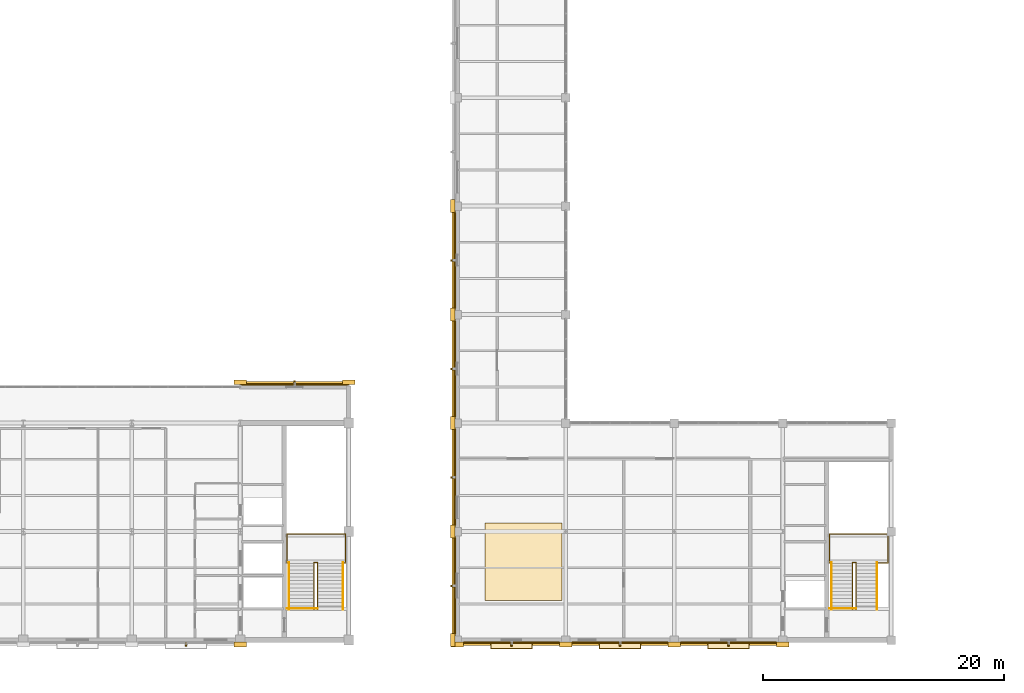
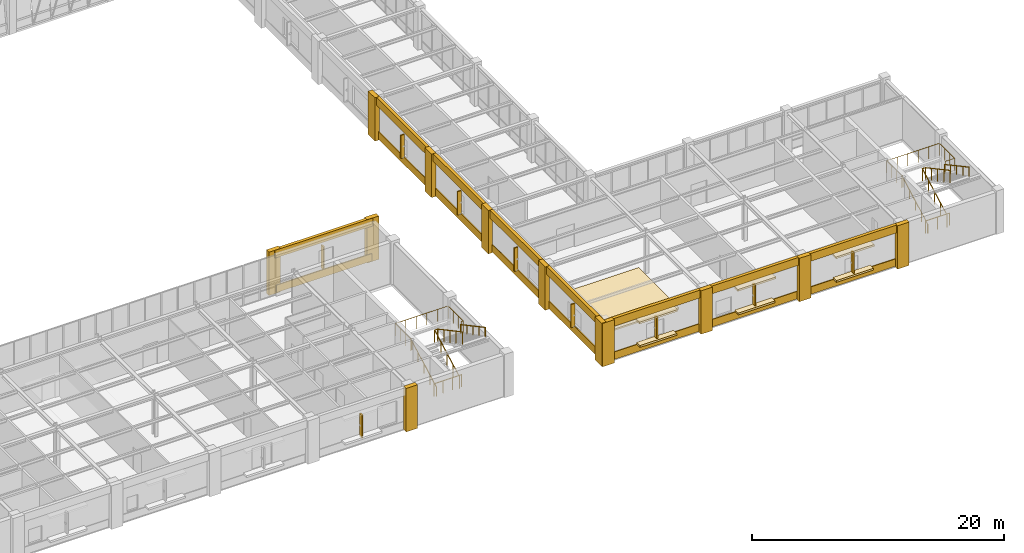
# One storey, part 104 of 108: 35 coverings, 10 railings, 9 shading devices.
"""IFC4 building model written with IfcOpenShell, lengths in metres."""

from ifc_helpers import new_model, si_unit, direction, frame, origin, origin_2d, place, context, subcontext, project, spatial, rectangle, circle, extrude, material, layer, layer_set, type_object, element, save


model = new_model("IFC4")

# Units and contexts
model_context = context("Model", 3, precision=1e-05, world=origin(), true_north=direction((0.0, 1.0)))
body_context = subcontext(model_context, "Body", "Model", "MODEL_VIEW")
ifc_project = project(units=[si_unit("LENGTHUNIT", "METRE"), si_unit("AREAUNIT", "SQUARE_METRE"), si_unit("VOLUMEUNIT", "CUBIC_METRE"), si_unit("PLANEANGLEUNIT", "RADIAN"), si_unit("MASSUNIT", "GRAM", prefix="KILO")], contexts=[model_context])

# Site, building, storey
site_placement = place(None, origin())
site = spatial("IfcSite", under=ifc_project, at=site_placement, CompositionType="ELEMENT")
building_placement = place(site_placement, origin())
building = spatial("IfcBuilding", under=site, at=building_placement, Name="Lykobir Media Centre", CompositionType="ELEMENT")
storey_placement = place(building_placement, frame((0.0, 0.0, 15.0)))
storey = spatial("IfcBuildingStorey", under=building, at=storey_placement, Name="L03", CompositionType="ELEMENT", Elevation=15.0)

# Coverings
ifc_material_1 = material(Name="Glazed Turquoise Terracotta", Category="masonry")
ifc_layer_1 = layer(ifc_material_1, 0.0400390625, Name="Glazed Turquoise Terracotta")
ifc_layer_set_1 = layer_set([ifc_layer_1], Name="Glazed Turquoise Terracotta")
covering_type_1 = type_object("IfcCoveringType", Name="CLD-TERR", PredefinedType="CLADDING", material=ifc_layer_set_1)
covering_1_placement = place(storey_placement, frame((76.5, 21.196044921875, 0.080078125), z_axis=(0.0, 0.0, 1.0), x_axis=(-1.0, 0.0, 0.0)))
element("IfcCovering", 1, at=covering_1_placement, inside=storey, type_object=covering_type_1, Name="Facade spandrel apron 495", PredefinedType="CLADDING", context=body_context, shape_type="SweptSolid", body=[
    extrude(rectangle(XDim=8.75, YDim=0.10009765625, at=origin_2d()), origin(), (0.0, 0.0, 1.0), 0.719970703125),
])
for number, where, z_axis, x_axis, name in (
    (2, (89.803955078125, 22.5, 0.080078125), (0.0, 0.0, 1.0), (0.0, -1.0, 0.0), "Facade spandrel apron 538"),
    (3, (89.803955078125, 31.5, 0.080078125), (0.0, 0.0, 1.0), (0.0, -1.0, 0.0), "Facade spandrel apron 541"),
    (4, (89.803955078125, 4.5, 0.080078125), (0.0, 0.0, 1.0), (0.0, -1.0, 0.0), "Facade spandrel apron 557"),
    (5, (89.803955078125, 13.5, 0.080078125), (0.0, 0.0, 1.0), (0.0, -1.0, 0.0), "Facade spandrel apron 559"),
    (6, (94.5, -0.196044921875, 0.080078125), (0.0, 0.0, 1.0), (1.0, 0.0, 0.0), "Facade spandrel apron 563"),
    (7, (103.5, -0.196044921875, 0.080078125), (0.0, 0.0, 1.0), (1.0, 0.0, 0.0), "Facade spandrel apron 568"),
    (8, (112.5, -0.196044921875, 0.080078125), (0.0, 0.0, 1.0), (1.0, 0.0, 0.0), "Facade spandrel apron 573"),
):
    element("IfcCovering", number, at=place(storey_placement, frame(where, z_axis=z_axis, x_axis=x_axis)), inside=storey, type_object=covering_type_1, Name=name, PredefinedType="CLADDING", context=body_context, shape_type="SweptSolid", body=[
        extrude(rectangle(XDim=7.929931640625, YDim=0.10009765625, at=origin_2d()), origin(), (0.0, 0.0, 1.0), 0.719970703125),
    ])
ifc_material_2 = material(Name="Honed Travertine Stone", Category="masonry")
ifc_layer_2 = layer(ifc_material_2, 0.050048828125, Name="Honed Travertine Stone")
ifc_layer_set_2 = layer_set([ifc_layer_2], Name="Honed Travertine Stone")
covering_type_2 = type_object("IfcCoveringType", Name="CLD-TRAV", PredefinedType="CLADDING", material=ifc_layer_set_2)
for number, where, z_axis, x_axis, name in (
    (9, (72.0, -0.3798828125, 0.0), (0.0, 0.0, 1.0), (1.0, 0.0, 0.0), "Travertine column pier 487"),
    (10, (81.0, 21.3798828125, 0.0), (0.0, 0.0, 1.0), (-1.0, 0.0, 0.0), "Travertine column pier 492"),
    (11, (72.0, 21.3798828125, 0.0), (0.0, 0.0, 1.0), (-1.0, 0.0, 0.0), "Travertine column pier 493"),
):
    element("IfcCovering", number, at=place(storey_placement, frame(where, z_axis=z_axis, x_axis=x_axis)), inside=storey, type_object=covering_type_2, Name=name, PredefinedType="CLADDING", context=body_context, shape_type="SweptSolid", body=[
        extrude(rectangle(XDim=1.06005859375, YDim=0.39990234375, at=origin_2d()), origin(), (0.0, 0.0, 1.0), 4.199951171875),
    ])
covering_2_placement = place(storey_placement, frame((76.5, 21.300048828125, 3.43994140625), z_axis=(0.0, 0.0, 1.0), x_axis=(-1.0, 0.0, 0.0)))
element("IfcCovering", 12, at=covering_2_placement, inside=storey, type_object=covering_type_2, Name="Travertine spandrel stringcourse 494", PredefinedType="CLADDING", context=body_context, shape_type="SweptSolid", body=[
    extrude(rectangle(XDim=9.0, YDim=0.280029296875, at=origin_2d()), origin(), (0.0, 0.0, 1.0), 0.760009765625),
])
for number, where, z_axis, x_axis, name in (
    (13, (89.6201171875, 27.0, 0.0), (0.0, 0.0, 1.0), (0.0, -1.0, 0.0), "Travertine column pier 535"),
    (14, (89.6201171875, 18.0, 0.0), (0.0, 0.0, 1.0), (0.0, -1.0, 0.0), "Travertine column pier 536"),
):
    element("IfcCovering", number, at=place(storey_placement, frame(where, z_axis=z_axis, x_axis=x_axis)), inside=storey, type_object=covering_type_2, Name=name, PredefinedType="CLADDING", context=body_context, shape_type="SweptSolid", body=[
        extrude(rectangle(XDim=1.06005859375, YDim=0.39990234375, at=origin_2d()), origin(), (0.0, 0.0, 1.0), 4.199951171875),
    ])
covering_3_placement = place(storey_placement, frame((89.699951171875, 22.5, 3.43994140625), z_axis=(0.0, 0.0, 1.0), x_axis=(0.0, -1.0, 0.0)))
element("IfcCovering", 15, at=covering_3_placement, inside=storey, type_object=covering_type_2, Name="Travertine spandrel stringcourse 537", PredefinedType="CLADDING", context=body_context, shape_type="SweptSolid", body=[
    extrude(rectangle(XDim=9.0, YDim=0.280029296875, at=origin_2d()), origin(), (0.0, 0.0, 1.0), 0.760009765625),
])
covering_4_placement = place(storey_placement, frame((89.6201171875, 36.0, 0.0), z_axis=(0.0, 0.0, 1.0), x_axis=(0.0, -1.0, 0.0)))
element("IfcCovering", 16, at=covering_4_placement, inside=storey, type_object=covering_type_2, Name="Travertine column pier 539", PredefinedType="CLADDING", context=body_context, shape_type="SweptSolid", body=[
    extrude(rectangle(XDim=1.06005859375, YDim=0.39990234375, at=origin_2d()), origin(), (0.0, 0.0, 1.0), 4.199951171875),
])
covering_5_placement = place(storey_placement, frame((89.699951171875, 31.5, 3.43994140625), z_axis=(0.0, 0.0, 1.0), x_axis=(0.0, -1.0, 0.0)))
element("IfcCovering", 17, at=covering_5_placement, inside=storey, type_object=covering_type_2, Name="Travertine spandrel stringcourse 540", PredefinedType="CLADDING", context=body_context, shape_type="SweptSolid", body=[
    extrude(rectangle(XDim=9.0, YDim=0.280029296875, at=origin_2d()), origin(), (0.0, 0.0, 1.0), 0.760009765625),
])
for number, where, z_axis, x_axis, name in (
    (18, (89.6201171875, 9.0, 0.0), (0.0, 0.0, 1.0), (0.0, -1.0, 0.0), "Travertine column pier 554"),
    (19, (89.6201171875, 0.0, 0.0), (0.0, 0.0, 1.0), (0.0, -1.0, 0.0), "Travertine column pier 555"),
):
    element("IfcCovering", number, at=place(storey_placement, frame(where, z_axis=z_axis, x_axis=x_axis)), inside=storey, type_object=covering_type_2, Name=name, PredefinedType="CLADDING", context=body_context, shape_type="SweptSolid", body=[
        extrude(rectangle(XDim=1.06005859375, YDim=0.39990234375, at=origin_2d()), origin(), (0.0, 0.0, 1.0), 4.199951171875),
    ])
for number, where, z_axis, x_axis, name in (
    (20, (89.699951171875, 4.5, 3.43994140625), (0.0, 0.0, 1.0), (0.0, -1.0, 0.0), "Travertine spandrel stringcourse 556"),
    (21, (89.699951171875, 13.5, 3.43994140625), (0.0, 0.0, 1.0), (0.0, -1.0, 0.0), "Travertine spandrel stringcourse 558"),
):
    element("IfcCovering", number, at=place(storey_placement, frame(where, z_axis=z_axis, x_axis=x_axis)), inside=storey, type_object=covering_type_2, Name=name, PredefinedType="CLADDING", context=body_context, shape_type="SweptSolid", body=[
        extrude(rectangle(XDim=9.0, YDim=0.280029296875, at=origin_2d()), origin(), (0.0, 0.0, 1.0), 0.760009765625),
    ])
for number, where, z_axis, x_axis, name in (
    (22, (90.0, -0.3798828125, 0.0), (0.0, 0.0, 1.0), (1.0, 0.0, 0.0), "Travertine column pier 560"),
    (23, (99.0, -0.3798828125, 0.0), (0.0, 0.0, 1.0), (1.0, 0.0, 0.0), "Travertine column pier 561"),
):
    element("IfcCovering", number, at=place(storey_placement, frame(where, z_axis=z_axis, x_axis=x_axis)), inside=storey, type_object=covering_type_2, Name=name, PredefinedType="CLADDING", context=body_context, shape_type="SweptSolid", body=[
        extrude(rectangle(XDim=1.06005859375, YDim=0.39990234375, at=origin_2d()), origin(), (0.0, 0.0, 1.0), 4.199951171875),
    ])
covering_6_placement = place(storey_placement, frame((94.5, -0.300048828125, 3.43994140625), z_axis=(0.0, 0.0, 1.0), x_axis=(1.0, 0.0, 0.0)))
element("IfcCovering", 24, at=covering_6_placement, inside=storey, type_object=covering_type_2, Name="Travertine spandrel stringcourse 562", PredefinedType="CLADDING", context=body_context, shape_type="SweptSolid", body=[
    extrude(rectangle(XDim=9.0, YDim=0.280029296875, at=origin_2d()), origin(), (0.0, 0.0, 1.0), 0.760009765625),
])
covering_7_placement = place(storey_placement, frame((94.5, -0.429931640625, 0.77001953125), z_axis=(0.0, 0.0, 1.0), x_axis=(1.0, 0.0, 0.0)))
element("IfcCovering", 25, at=covering_7_placement, inside=storey, type_object=covering_type_2, Name="Ottoman Cumba sill 564", PredefinedType="CLADDING", context=body_context, shape_type="SweptSolid", body=[
    extrude(rectangle(XDim=3.39990234375, YDim=0.52001953125, at=origin_2d()), origin(), (0.0, 0.0, 1.0), 0.179931640625),
])
covering_8_placement = place(storey_placement, frame((94.5, -0.429931640625, 3.08984375), z_axis=(0.0, 0.0, 1.0), x_axis=(1.0, 0.0, 0.0)))
element("IfcCovering", 26, at=covering_8_placement, inside=storey, type_object=covering_type_2, Name="Ottoman Cumba canopy 565", PredefinedType="CLADDING", context=body_context, shape_type="SweptSolid", body=[
    extrude(rectangle(XDim=3.5, YDim=0.60009765625, at=origin_2d()), origin(), (0.0, 0.0, 1.0), 0.179931640625),
])
covering_9_placement = place(storey_placement, frame((108.0, -0.3798828125, 0.0), z_axis=(0.0, 0.0, 1.0), x_axis=(1.0, 0.0, 0.0)))
element("IfcCovering", 27, at=covering_9_placement, inside=storey, type_object=covering_type_2, Name="Travertine column pier 566", PredefinedType="CLADDING", context=body_context, shape_type="SweptSolid", body=[
    extrude(rectangle(XDim=1.06005859375, YDim=0.39990234375, at=origin_2d()), origin(), (0.0, 0.0, 1.0), 4.199951171875),
])
covering_10_placement = place(storey_placement, frame((103.5, -0.300048828125, 3.43994140625), z_axis=(0.0, 0.0, 1.0), x_axis=(1.0, 0.0, 0.0)))
element("IfcCovering", 28, at=covering_10_placement, inside=storey, type_object=covering_type_2, Name="Travertine spandrel stringcourse 567", PredefinedType="CLADDING", context=body_context, shape_type="SweptSolid", body=[
    extrude(rectangle(XDim=9.0, YDim=0.280029296875, at=origin_2d()), origin(), (0.0, 0.0, 1.0), 0.760009765625),
])
covering_11_placement = place(storey_placement, frame((103.5, -0.429931640625, 0.77001953125), z_axis=(0.0, 0.0, 1.0), x_axis=(1.0, 0.0, 0.0)))
element("IfcCovering", 29, at=covering_11_placement, inside=storey, type_object=covering_type_2, Name="Ottoman Cumba sill 569", PredefinedType="CLADDING", context=body_context, shape_type="SweptSolid", body=[
    extrude(rectangle(XDim=3.39990234375, YDim=0.52001953125, at=origin_2d()), origin(), (0.0, 0.0, 1.0), 0.179931640625),
])
covering_12_placement = place(storey_placement, frame((103.5, -0.429931640625, 3.08984375), z_axis=(0.0, 0.0, 1.0), x_axis=(1.0, 0.0, 0.0)))
element("IfcCovering", 30, at=covering_12_placement, inside=storey, type_object=covering_type_2, Name="Ottoman Cumba canopy 570", PredefinedType="CLADDING", context=body_context, shape_type="SweptSolid", body=[
    extrude(rectangle(XDim=3.5, YDim=0.60009765625, at=origin_2d()), origin(), (0.0, 0.0, 1.0), 0.179931640625),
])
covering_13_placement = place(storey_placement, frame((117.0, -0.3798828125, 0.0), z_axis=(0.0, 0.0, 1.0), x_axis=(1.0, 0.0, 0.0)))
element("IfcCovering", 31, at=covering_13_placement, inside=storey, type_object=covering_type_2, Name="Travertine column pier 571", PredefinedType="CLADDING", context=body_context, shape_type="SweptSolid", body=[
    extrude(rectangle(XDim=1.06005859375, YDim=0.39990234375, at=origin_2d()), origin(), (0.0, 0.0, 1.0), 4.199951171875),
])
covering_14_placement = place(storey_placement, frame((112.5, -0.300048828125, 3.43994140625), z_axis=(0.0, 0.0, 1.0), x_axis=(1.0, 0.0, 0.0)))
element("IfcCovering", 32, at=covering_14_placement, inside=storey, type_object=covering_type_2, Name="Travertine spandrel stringcourse 572", PredefinedType="CLADDING", context=body_context, shape_type="SweptSolid", body=[
    extrude(rectangle(XDim=9.0, YDim=0.280029296875, at=origin_2d()), origin(), (0.0, 0.0, 1.0), 0.760009765625),
])
covering_15_placement = place(storey_placement, frame((112.5, -0.429931640625, 0.77001953125), z_axis=(0.0, 0.0, 1.0), x_axis=(1.0, 0.0, 0.0)))
element("IfcCovering", 33, at=covering_15_placement, inside=storey, type_object=covering_type_2, Name="Ottoman Cumba sill 574", PredefinedType="CLADDING", context=body_context, shape_type="SweptSolid", body=[
    extrude(rectangle(XDim=3.39990234375, YDim=0.52001953125, at=origin_2d()), origin(), (0.0, 0.0, 1.0), 0.179931640625),
])
covering_16_placement = place(storey_placement, frame((112.5, -0.429931640625, 3.08984375), z_axis=(0.0, 0.0, 1.0), x_axis=(1.0, 0.0, 0.0)))
element("IfcCovering", 34, at=covering_16_placement, inside=storey, type_object=covering_type_2, Name="Ottoman Cumba canopy 575", PredefinedType="CLADDING", context=body_context, shape_type="SweptSolid", body=[
    extrude(rectangle(XDim=3.5, YDim=0.60009765625, at=origin_2d()), origin(), (0.0, 0.0, 1.0), 0.179931640625),
])
ifc_material_3 = material(Name="Acoustic Timber Panelling", Category="wood")
ifc_layer_3 = layer(ifc_material_3, 0.14990234375, Name="Acoustic Timber Panelling")
ifc_layer_set_3 = layer_set([ifc_layer_3], Name="Acoustic Timber Panelling")
covering_type_3 = type_object("IfcCoveringType", Name="COV-FLR-150", PredefinedType="FLOORING", material=ifc_layer_set_3)
covering_17_placement = place(storey_placement, frame((95.5, 6.5, 0.0), z_axis=(0.0, 0.0, 1.0), x_axis=(1.0, 0.0, 0.0)))
element("IfcCovering", 35, at=covering_17_placement, inside=storey, type_object=covering_type_3, Name="L03 floating studio acoustic floor 4", PredefinedType="FLOORING", context=body_context, shape_type="SweptSolid", body=[
    extrude(rectangle(XDim=6.39990234375, YDim=6.39990234375, at=origin_2d()), origin(), (0.0, 0.0, 1.0), 0.14990234375),
])

# Railings
ifc_material_4 = material(Name="Steel S355", Category="steel")
railing_type_1 = type_object("IfcRailingType", Name="GR-1200", PredefinedType="BALUSTRADE", material=ifc_material_4)
railing_1_placement = place(storey_placement, frame((75.8701171875, 2.6298828125, 0.0)))
element("IfcRailing", 36, at=railing_1_placement, inside=storey, type_object=railing_type_1, Name="ST-2 L03 arrival well guard", PredefinedType="BALUSTRADE", context=body_context, shape_type="SweptSolid", body=[
    extrude(circle(Radius=0.02392578125, at=origin_2d()), frame((0.0, 0.0, 1.17578125), z_axis=(1.0, 0.0, 0.0), x_axis=(0.0, 1.0, 0.0)), (0.0, 0.0, 1.0), 2.539794921875),
    extrude(circle(Radius=0.02099609375, at=origin_2d()), origin(), (0.0, 0.0, 1.0), 1.15185546875),
    extrude(circle(Radius=0.02099609375, at=origin_2d()), frame((0.8466796875, 0.0, 0.0)), (0.0, 0.0, 1.0), 1.15185546875),
    extrude(circle(Radius=0.02099609375, at=origin_2d()), frame((1.693115234375, 0.0, 0.0)), (0.0, 0.0, 1.0), 1.15185546875),
    extrude(circle(Radius=0.02099609375, at=origin_2d()), frame((2.539794921875, 0.0, 0.0)), (0.0, 0.0, 1.0), 1.15185546875),
])
railing_2_placement = place(storey_placement, frame((78.1298828125, 2.530029296875, 0.0)))
element("IfcRailing", 37, at=railing_2_placement, inside=storey, type_object=railing_type_1, Name="ST-2 L03 inner well and slot guard", PredefinedType="BALUSTRADE", context=body_context, shape_type="SweptSolid", body=[
    extrude(circle(Radius=0.02392578125, at=origin_2d()), frame((0.0, 0.0, 1.17578125), z_axis=(0.0, 0.880456940745, 0.474126117709), x_axis=(-1.0, 0.0, 0.0)), (0.0, 0.0, 1.0), 4.429443359375),
    extrude(circle(Radius=0.02392578125, at=origin_2d()), frame((0.0, 3.89990234375, 3.27587890625), z_axis=(1.0, 0.0, 0.0), x_axis=(0.0, 1.0, 0.0)), (0.0, 0.0, 1.0), 0.280029296875),
    extrude(circle(Radius=0.02392578125, at=origin_2d()), frame((0.280029296875, 3.89990234375, 3.27587890625), z_axis=(0.0, -0.88047994924, 0.474083388219), x_axis=(1.0, 0.0, 0.0)), (0.0, 0.0, 1.0), 4.42919921875),
    extrude(circle(Radius=0.02099609375, at=origin_2d()), origin(), (0.0, 0.0, 1.0), 1.15185546875),
    extrude(circle(Radius=0.02099609375, at=origin_2d()), frame((0.0, 0.97509765625, 0.52490234375)), (0.0, 0.0, 1.0), 1.15185546875),
    extrude(circle(Radius=0.02099609375, at=origin_2d()), frame((0.0, 1.949951171875, 1.050048828125)), (0.0, 0.0, 1.0), 1.15185546875),
    extrude(circle(Radius=0.02099609375, at=origin_2d()), frame((0.0, 2.9248046875, 1.5751953125)), (0.0, 0.0, 1.0), 1.15185546875),
    extrude(circle(Radius=0.02099609375, at=origin_2d()), frame((0.0, 3.89990234375, 2.10009765625)), (0.0, 0.0, 1.0), 1.15185546875),
    extrude(circle(Radius=0.02099609375, at=origin_2d()), frame((0.280029296875, 3.89990234375, 2.10009765625)), (0.0, 0.0, 1.0), 1.15185546875),
    extrude(circle(Radius=0.02099609375, at=origin_2d()), frame((0.280029296875, 2.9248046875, 2.625)), (0.0, 0.0, 1.0), 1.15185546875),
    extrude(circle(Radius=0.02099609375, at=origin_2d()), frame((0.280029296875, 1.949951171875, 3.14990234375)), (0.0, 0.0, 1.0), 1.15185546875),
    extrude(circle(Radius=0.02099609375, at=origin_2d()), frame((0.280029296875, 0.97509765625, 3.675048828125)), (0.0, 0.0, 1.0), 1.15185546875),
    extrude(circle(Radius=0.02099609375, at=origin_2d()), frame((0.280029296875, 0.0, 4.199951171875)), (0.0, 0.0, 1.0), 1.15185546875),
])
railing_3_placement = place(storey_placement, frame((75.989990234375, 6.389892578125, 2.10009765625)))
element("IfcRailing", 38, at=railing_3_placement, inside=storey, type_object=railing_type_1, Name="ST-2 L03 half-landing perimeter guard", PredefinedType="BALUSTRADE", context=body_context, shape_type="SweptSolid", body=[
    extrude(circle(Radius=0.02392578125, at=origin_2d()), frame((0.0, 0.0, 1.17578125), z_axis=(-1.0, 0.0, 0.0), x_axis=(0.0, -1.0, 0.0)), (0.0, 0.0, 1.0), 0.110107421875),
    extrude(circle(Radius=0.02392578125, at=origin_2d()), frame((-0.110107421875, 0.0, 1.17578125), z_axis=(0.0, 1.0, 0.0), x_axis=(-1.0, 0.0, 0.0)), (0.0, 0.0, 1.0), 2.400146484375),
    extrude(circle(Radius=0.02392578125, at=origin_2d()), frame((-0.110107421875, 2.400146484375, 1.17578125), z_axis=(1.0, 0.0, 0.0), x_axis=(0.0, 1.0, 0.0)), (0.0, 0.0, 1.0), 4.840087890625),
    extrude(circle(Radius=0.02392578125, at=origin_2d()), frame((4.72998046875, 2.400146484375, 1.17578125), z_axis=(0.0, -1.0, 0.0), x_axis=(1.0, 0.0, 0.0)), (0.0, 0.0, 1.0), 2.400146484375),
    extrude(circle(Radius=0.02392578125, at=origin_2d()), frame((4.72998046875, 0.0, 1.17578125), z_axis=(-1.0, 0.0, 0.0), x_axis=(0.0, -1.0, 0.0)), (0.0, 0.0, 1.0), 0.169921875),
    extrude(circle(Radius=0.02099609375, at=origin_2d()), origin(), (0.0, 0.0, 1.0), 1.15185546875),
    extrude(circle(Radius=0.02099609375, at=origin_2d()), frame((-0.110107421875, 0.0, 0.0)), (0.0, 0.0, 1.0), 1.15185546875),
    extrude(circle(Radius=0.02099609375, at=origin_2d()), frame((-0.110107421875, 0.800048828125, 0.0)), (0.0, 0.0, 1.0), 1.15185546875),
    extrude(circle(Radius=0.02099609375, at=origin_2d()), frame((-0.110107421875, 1.60009765625, 0.0)), (0.0, 0.0, 1.0), 1.15185546875),
    extrude(circle(Radius=0.02099609375, at=origin_2d()), frame((-0.110107421875, 2.400146484375, 0.0)), (0.0, 0.0, 1.0), 1.15185546875),
    extrude(circle(Radius=0.02099609375, at=origin_2d()), frame((0.85791015625, 2.400146484375, 0.0)), (0.0, 0.0, 1.0), 1.15185546875),
    extrude(circle(Radius=0.02099609375, at=origin_2d()), frame((1.825927734375, 2.400146484375, 0.0)), (0.0, 0.0, 1.0), 1.15185546875),
    extrude(circle(Radius=0.02099609375, at=origin_2d()), frame((2.7939453125, 2.400146484375, 0.0)), (0.0, 0.0, 1.0), 1.15185546875),
    extrude(circle(Radius=0.02099609375, at=origin_2d()), frame((3.761962890625, 2.400146484375, 0.0)), (0.0, 0.0, 1.0), 1.15185546875),
    extrude(circle(Radius=0.02099609375, at=origin_2d()), frame((4.72998046875, 2.400146484375, 0.0)), (0.0, 0.0, 1.0), 1.15185546875),
    extrude(circle(Radius=0.02099609375, at=origin_2d()), frame((4.72998046875, 1.60009765625, 0.0)), (0.0, 0.0, 1.0), 1.15185546875),
    extrude(circle(Radius=0.02099609375, at=origin_2d()), frame((4.72998046875, 0.800048828125, 0.0)), (0.0, 0.0, 1.0), 1.15185546875),
    extrude(circle(Radius=0.02099609375, at=origin_2d()), frame((4.72998046875, 0.0, 0.0)), (0.0, 0.0, 1.0), 1.15185546875),
    extrude(circle(Radius=0.02099609375, at=origin_2d()), frame((4.56005859375, 0.0, 0.0)), (0.0, 0.0, 1.0), 1.15185546875),
])
railing_4_placement = place(storey_placement, frame((120.8701171875, 2.6298828125, 0.0)))
element("IfcRailing", 39, at=railing_4_placement, inside=storey, type_object=railing_type_1, Name="ST-5 L03 arrival well guard", PredefinedType="BALUSTRADE", context=body_context, shape_type="SweptSolid", body=[
    extrude(circle(Radius=0.02392578125, at=origin_2d()), frame((0.0, 0.0, 1.17578125), z_axis=(1.0, 0.0, 0.0), x_axis=(0.0, 1.0, 0.0)), (0.0, 0.0, 1.0), 2.18994140625),
    extrude(circle(Radius=0.02099609375, at=origin_2d()), origin(), (0.0, 0.0, 1.0), 1.15185546875),
    extrude(circle(Radius=0.02099609375, at=origin_2d()), frame((1.094970703125, 0.0, 0.0)), (0.0, 0.0, 1.0), 1.15185546875),
    extrude(circle(Radius=0.02099609375, at=origin_2d()), frame((2.18994140625, 0.0, 0.0)), (0.0, 0.0, 1.0), 1.15185546875),
])
railing_5_placement = place(storey_placement, frame((122.780029296875, 2.530029296875, 0.0)))
element("IfcRailing", 40, at=railing_5_placement, inside=storey, type_object=railing_type_1, Name="ST-5 L03 inner well and slot guard", PredefinedType="BALUSTRADE", context=body_context, shape_type="SweptSolid", body=[
    extrude(circle(Radius=0.02392578125, at=origin_2d()), frame((0.0, 0.0, 1.17578125), z_axis=(0.0, 0.880456940745, 0.474126117709), x_axis=(-1.0, 0.0, 0.0)), (0.0, 0.0, 1.0), 4.429443359375),
    extrude(circle(Radius=0.02392578125, at=origin_2d()), frame((0.0, 3.89990234375, 3.27587890625), z_axis=(1.0, 0.0, 0.0), x_axis=(0.0, 1.0, 0.0)), (0.0, 0.0, 1.0), 0.280029296875),
    extrude(circle(Radius=0.02392578125, at=origin_2d()), frame((0.280029296875, 3.89990234375, 3.27587890625), z_axis=(0.0, -0.88047994924, 0.474083388219), x_axis=(1.0, 0.0, 0.0)), (0.0, 0.0, 1.0), 4.42919921875),
    extrude(circle(Radius=0.02099609375, at=origin_2d()), origin(), (0.0, 0.0, 1.0), 1.15185546875),
    extrude(circle(Radius=0.02099609375, at=origin_2d()), frame((0.0, 0.97509765625, 0.52490234375)), (0.0, 0.0, 1.0), 1.15185546875),
    extrude(circle(Radius=0.02099609375, at=origin_2d()), frame((0.0, 1.949951171875, 1.050048828125)), (0.0, 0.0, 1.0), 1.15185546875),
    extrude(circle(Radius=0.02099609375, at=origin_2d()), frame((0.0, 2.9248046875, 1.5751953125)), (0.0, 0.0, 1.0), 1.15185546875),
    extrude(circle(Radius=0.02099609375, at=origin_2d()), frame((0.0, 3.89990234375, 2.10009765625)), (0.0, 0.0, 1.0), 1.15185546875),
    extrude(circle(Radius=0.02099609375, at=origin_2d()), frame((0.280029296875, 3.89990234375, 2.10009765625)), (0.0, 0.0, 1.0), 1.15185546875),
    extrude(circle(Radius=0.02099609375, at=origin_2d()), frame((0.280029296875, 2.9248046875, 2.625)), (0.0, 0.0, 1.0), 1.15185546875),
    extrude(circle(Radius=0.02099609375, at=origin_2d()), frame((0.280029296875, 1.949951171875, 3.14990234375)), (0.0, 0.0, 1.0), 1.15185546875),
    extrude(circle(Radius=0.02099609375, at=origin_2d()), frame((0.280029296875, 0.97509765625, 3.675048828125)), (0.0, 0.0, 1.0), 1.15185546875),
    extrude(circle(Radius=0.02099609375, at=origin_2d()), frame((0.280029296875, 0.0, 4.199951171875)), (0.0, 0.0, 1.0), 1.15185546875),
])
railing_6_placement = place(storey_placement, frame((120.989990234375, 6.389892578125, 2.10009765625)))
element("IfcRailing", 41, at=railing_6_placement, inside=storey, type_object=railing_type_1, Name="ST-5 L03 half-landing perimeter guard", PredefinedType="BALUSTRADE", context=body_context, shape_type="SweptSolid", body=[
    extrude(circle(Radius=0.02392578125, at=origin_2d()), frame((0.0, 0.0, 1.17578125), z_axis=(-1.0, 0.0, 0.0), x_axis=(0.0, -1.0, 0.0)), (0.0, 0.0, 1.0), 0.110107421875),
    extrude(circle(Radius=0.02392578125, at=origin_2d()), frame((-0.110107421875, 0.0, 1.17578125), z_axis=(0.0, 1.0, 0.0), x_axis=(-1.0, 0.0, 0.0)), (0.0, 0.0, 1.0), 2.400146484375),
    extrude(circle(Radius=0.02392578125, at=origin_2d()), frame((-0.110107421875, 2.400146484375, 1.17578125), z_axis=(1.0, 0.0, 0.0), x_axis=(0.0, 1.0, 0.0)), (0.0, 0.0, 1.0), 4.840087890625),
    extrude(circle(Radius=0.02392578125, at=origin_2d()), frame((4.72998046875, 2.400146484375, 1.17578125), z_axis=(0.0, -1.0, 0.0), x_axis=(1.0, 0.0, 0.0)), (0.0, 0.0, 1.0), 2.400146484375),
    extrude(circle(Radius=0.02392578125, at=origin_2d()), frame((4.72998046875, 0.0, 1.17578125), z_axis=(-1.0, 0.0, 0.0), x_axis=(0.0, -1.0, 0.0)), (0.0, 0.0, 1.0), 0.869873046875),
    extrude(circle(Radius=0.02099609375, at=origin_2d()), origin(), (0.0, 0.0, 1.0), 1.15185546875),
    extrude(circle(Radius=0.02099609375, at=origin_2d()), frame((-0.110107421875, 0.0, 0.0)), (0.0, 0.0, 1.0), 1.15185546875),
    extrude(circle(Radius=0.02099609375, at=origin_2d()), frame((-0.110107421875, 0.800048828125, 0.0)), (0.0, 0.0, 1.0), 1.15185546875),
    extrude(circle(Radius=0.02099609375, at=origin_2d()), frame((-0.110107421875, 1.60009765625, 0.0)), (0.0, 0.0, 1.0), 1.15185546875),
    extrude(circle(Radius=0.02099609375, at=origin_2d()), frame((-0.110107421875, 2.400146484375, 0.0)), (0.0, 0.0, 1.0), 1.15185546875),
    extrude(circle(Radius=0.02099609375, at=origin_2d()), frame((0.85791015625, 2.400146484375, 0.0)), (0.0, 0.0, 1.0), 1.15185546875),
    extrude(circle(Radius=0.02099609375, at=origin_2d()), frame((1.825927734375, 2.400146484375, 0.0)), (0.0, 0.0, 1.0), 1.15185546875),
    extrude(circle(Radius=0.02099609375, at=origin_2d()), frame((2.7939453125, 2.400146484375, 0.0)), (0.0, 0.0, 1.0), 1.15185546875),
    extrude(circle(Radius=0.02099609375, at=origin_2d()), frame((3.761962890625, 2.400146484375, 0.0)), (0.0, 0.0, 1.0), 1.15185546875),
    extrude(circle(Radius=0.02099609375, at=origin_2d()), frame((4.72998046875, 2.400146484375, 0.0)), (0.0, 0.0, 1.0), 1.15185546875),
    extrude(circle(Radius=0.02099609375, at=origin_2d()), frame((4.72998046875, 1.60009765625, 0.0)), (0.0, 0.0, 1.0), 1.15185546875),
    extrude(circle(Radius=0.02099609375, at=origin_2d()), frame((4.72998046875, 0.800048828125, 0.0)), (0.0, 0.0, 1.0), 1.15185546875),
    extrude(circle(Radius=0.02099609375, at=origin_2d()), frame((4.72998046875, 0.0, 0.0)), (0.0, 0.0, 1.0), 1.15185546875),
    extrude(circle(Radius=0.02099609375, at=origin_2d()), frame((3.860107421875, 0.0, 0.0)), (0.0, 0.0, 1.0), 1.15185546875),
])
railing_type_2 = type_object("IfcRailingType", Name="HR-0900", PredefinedType="HANDRAIL", material=ifc_material_4)
railing_7_placement = place(storey_placement, frame((76.030029296875, 2.530029296875, 0.0)))
element("IfcRailing", 42, at=railing_7_placement, inside=storey, type_object=railing_type_2, Name="ST-2 L03 F1 wall handrail", PredefinedType="HANDRAIL", context=body_context, shape_type="SweptSolid", body=[
    extrude(circle(Radius=0.02392578125, at=origin_2d()), frame((0.0, 0.0, 0.8759765625), z_axis=(0.0, 0.880456940745, 0.474126117709), x_axis=(-1.0, 0.0, 0.0)), (0.0, 0.0, 1.0), 4.429443359375),
    extrude(circle(Radius=0.02099609375, at=origin_2d()), origin(), (0.0, 0.0, 1.0), 0.851806640625),
    extrude(circle(Radius=0.02099609375, at=origin_2d()), frame((0.0, 0.97509765625, 0.52490234375)), (0.0, 0.0, 1.0), 0.851806640625),
    extrude(circle(Radius=0.02099609375, at=origin_2d()), frame((0.0, 1.949951171875, 1.050048828125)), (0.0, 0.0, 1.0), 0.851806640625),
    extrude(circle(Radius=0.02099609375, at=origin_2d()), frame((0.0, 2.9248046875, 1.5751953125)), (0.0, 0.0, 1.0), 0.851806640625),
    extrude(circle(Radius=0.02099609375, at=origin_2d()), frame((0.0, 3.89990234375, 2.10009765625)), (0.0, 0.0, 1.0), 0.851806640625),
])
railing_8_placement = place(storey_placement, frame((80.510009765625, 6.429931640625, 2.10009765625)))
element("IfcRailing", 43, at=railing_8_placement, inside=storey, type_object=railing_type_2, Name="ST-2 L03 F2 wall handrail", PredefinedType="HANDRAIL", context=body_context, shape_type="SweptSolid", body=[
    extrude(circle(Radius=0.02392578125, at=origin_2d()), frame((0.0, 0.0, 0.8759765625), z_axis=(0.0, -0.88047994924, 0.474083388219), x_axis=(1.0, 0.0, 0.0)), (0.0, 0.0, 1.0), 4.42919921875),
    extrude(circle(Radius=0.02099609375, at=origin_2d()), origin(), (0.0, 0.0, 1.0), 0.851806640625),
    extrude(circle(Radius=0.02099609375, at=origin_2d()), frame((0.0, -0.97509765625, 0.52490234375)), (0.0, 0.0, 1.0), 0.851806640625),
    extrude(circle(Radius=0.02099609375, at=origin_2d()), frame((0.0, -1.949951171875, 1.0498046875)), (0.0, 0.0, 1.0), 0.851806640625),
    extrude(circle(Radius=0.02099609375, at=origin_2d()), frame((0.0, -2.9248046875, 1.574951171875)), (0.0, 0.0, 1.0), 0.851806640625),
    extrude(circle(Radius=0.02099609375, at=origin_2d()), frame((0.0, -3.89990234375, 2.099853515625)), (0.0, 0.0, 1.0), 0.851806640625),
])
railing_9_placement = place(storey_placement, frame((121.030029296875, 2.530029296875, 0.0)))
element("IfcRailing", 44, at=railing_9_placement, inside=storey, type_object=railing_type_2, Name="ST-5 L03 F1 wall handrail", PredefinedType="HANDRAIL", context=body_context, shape_type="SweptSolid", body=[
    extrude(circle(Radius=0.02392578125, at=origin_2d()), frame((0.0, 0.0, 0.8759765625), z_axis=(0.0, 0.880456940745, 0.474126117709), x_axis=(-1.0, 0.0, 0.0)), (0.0, 0.0, 1.0), 4.429443359375),
    extrude(circle(Radius=0.02099609375, at=origin_2d()), origin(), (0.0, 0.0, 1.0), 0.851806640625),
    extrude(circle(Radius=0.02099609375, at=origin_2d()), frame((0.0, 0.97509765625, 0.52490234375)), (0.0, 0.0, 1.0), 0.851806640625),
    extrude(circle(Radius=0.02099609375, at=origin_2d()), frame((0.0, 1.949951171875, 1.050048828125)), (0.0, 0.0, 1.0), 0.851806640625),
    extrude(circle(Radius=0.02099609375, at=origin_2d()), frame((0.0, 2.9248046875, 1.5751953125)), (0.0, 0.0, 1.0), 0.851806640625),
    extrude(circle(Radius=0.02099609375, at=origin_2d()), frame((0.0, 3.89990234375, 2.10009765625)), (0.0, 0.0, 1.0), 0.851806640625),
])
railing_10_placement = place(storey_placement, frame((124.81005859375, 6.429931640625, 2.10009765625)))
element("IfcRailing", 45, at=railing_10_placement, inside=storey, type_object=railing_type_2, Name="ST-5 L03 F2 wall handrail", PredefinedType="HANDRAIL", context=body_context, shape_type="SweptSolid", body=[
    extrude(circle(Radius=0.02392578125, at=origin_2d()), frame((0.0, 0.0, 0.8759765625), z_axis=(0.0, -0.88047994924, 0.474083388219), x_axis=(1.0, 0.0, 0.0)), (0.0, 0.0, 1.0), 4.42919921875),
    extrude(circle(Radius=0.02099609375, at=origin_2d()), origin(), (0.0, 0.0, 1.0), 0.851806640625),
    extrude(circle(Radius=0.02099609375, at=origin_2d()), frame((0.0, -0.97509765625, 0.52490234375)), (0.0, 0.0, 1.0), 0.851806640625),
    extrude(circle(Radius=0.02099609375, at=origin_2d()), frame((0.0, -1.949951171875, 1.0498046875)), (0.0, 0.0, 1.0), 0.851806640625),
    extrude(circle(Radius=0.02099609375, at=origin_2d()), frame((0.0, -2.9248046875, 1.574951171875)), (0.0, 0.0, 1.0), 0.851806640625),
    extrude(circle(Radius=0.02099609375, at=origin_2d()), frame((0.0, -3.89990234375, 2.099853515625)), (0.0, 0.0, 1.0), 0.851806640625),
])

# Shading devices
shading_device_type = type_object("IfcShadingDeviceType", Name="SHD-FIN", PredefinedType="USERDEFINED", material=ifc_material_1)
for number, where, z_axis, x_axis, name in (
    (46, (67.5, -0.35009765625, 0.72509765625), (0.0, 0.0, 1.0), (1.0, 0.0, 0.0), "Terracotta shading fin 29"),
    (47, (76.5, 21.35009765625, 0.72509765625), (0.0, 0.0, 1.0), (-1.0, 0.0, 0.0), "Terracotta shading fin 30"),
    (48, (89.64990234375, 22.5, 0.72509765625), (0.0, 0.0, 1.0), (0.0, -1.0, 0.0), "Terracotta shading fin 35"),
    (49, (89.64990234375, 31.5, 0.72509765625), (0.0, 0.0, 1.0), (0.0, -1.0, 0.0), "Terracotta shading fin 36"),
    (50, (89.64990234375, 4.5, 0.72509765625), (0.0, 0.0, 1.0), (0.0, -1.0, 0.0), "Terracotta shading fin 41"),
    (51, (89.64990234375, 13.5, 0.72509765625), (0.0, 0.0, 1.0), (0.0, -1.0, 0.0), "Terracotta shading fin 42"),
    (52, (94.5, -0.35009765625, 0.72509765625), (0.0, 0.0, 1.0), (1.0, 0.0, 0.0), "Terracotta shading fin 43"),
    (53, (103.5, -0.35009765625, 0.72509765625), (0.0, 0.0, 1.0), (1.0, 0.0, 0.0), "Terracotta shading fin 44"),
    (54, (112.5, -0.35009765625, 0.72509765625), (0.0, 0.0, 1.0), (1.0, 0.0, 0.0), "Terracotta shading fin 45"),
):
    element("IfcShadingDevice", number, at=place(storey_placement, frame(where, z_axis=z_axis, x_axis=x_axis)), inside=storey, type_object=shading_device_type, Name=name, ObjectType="FIN", PredefinedType="USERDEFINED", context=body_context, shape_type="SweptSolid", body=[
        extrude(rectangle(XDim=0.1201171875, YDim=0.35009765625, at=origin_2d()), origin(), (0.0, 0.0, 1.0), 2.25),
    ])

save(model, "model.ifc")
